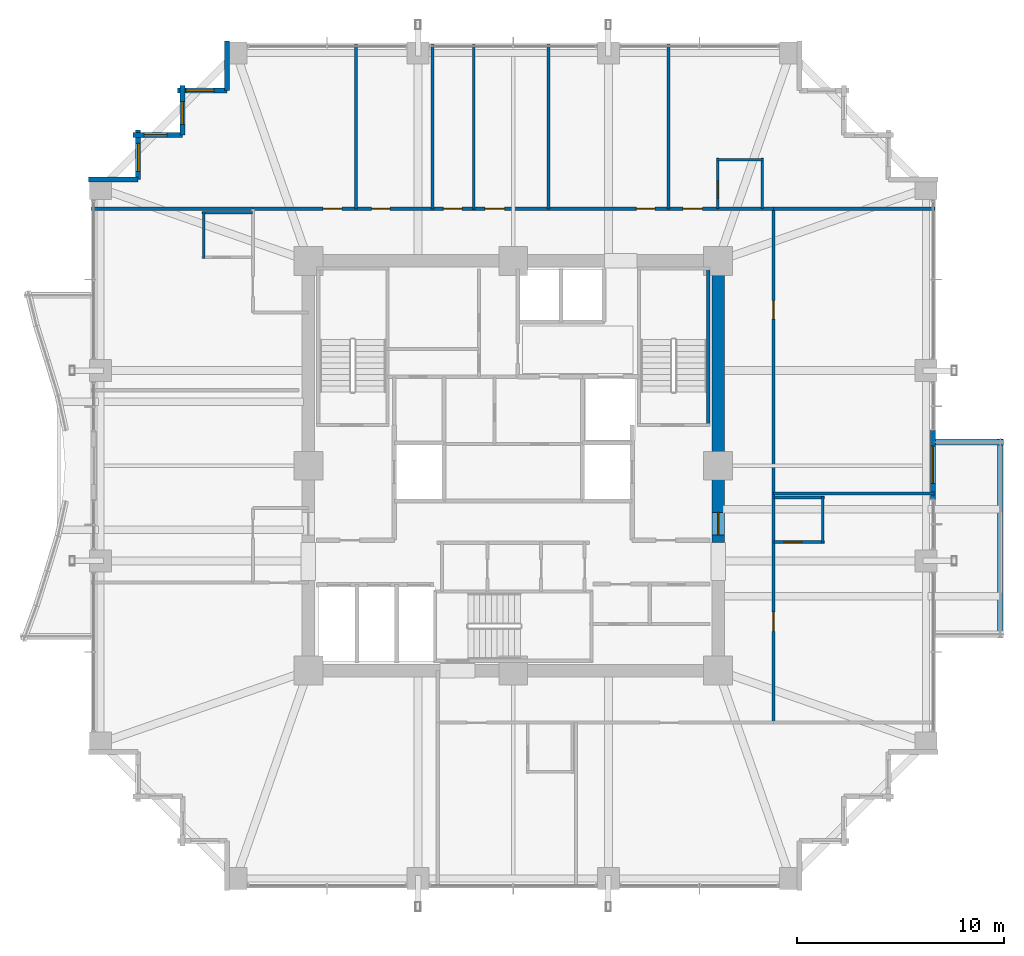
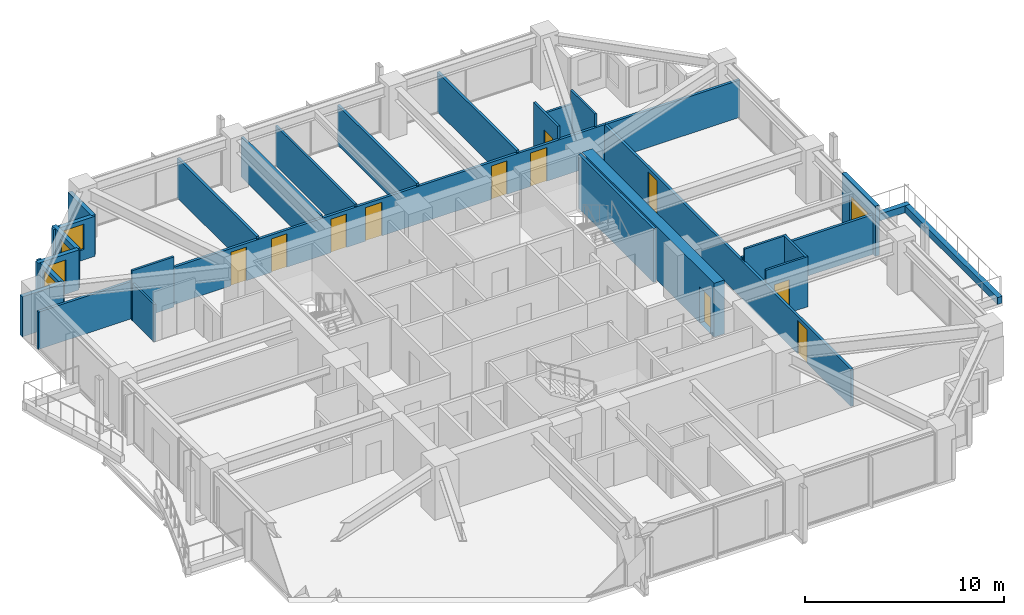
# One storey, part 34 of 37: 29 walls, 12 doors, 4 windows, 16 openings.
"""IFC4 building model written with IfcOpenShell, lengths in metres."""

from ifc_helpers import new_model, si_unit, direction, frame, frame_2d, origin, place, context, subcontext, project, spatial, rectangle, extrude, material, layer, layer_set, type_object, element, fill, save


model = new_model("IFC4")

# Units and contexts
model_context = context("Model", 3, precision=1e-05, world=origin(), true_north=direction((0.0, 1.0)))
body_context = subcontext(model_context, "Body", "Model", "MODEL_VIEW")
ifc_project = project(units=[si_unit("LENGTHUNIT", "METRE"), si_unit("AREAUNIT", "SQUARE_METRE"), si_unit("VOLUMEUNIT", "CUBIC_METRE"), si_unit("PLANEANGLEUNIT", "RADIAN"), si_unit("MASSUNIT", "GRAM", prefix="KILO")], contexts=[model_context])

# Site, building, storey
site_placement = place(None, origin())
site = spatial("IfcSite", under=ifc_project, at=site_placement, CompositionType="ELEMENT")
building_placement = place(site_placement, origin())
building = spatial("IfcBuilding", under=site, at=building_placement, Name="Kolvaren Belvedere", CompositionType="ELEMENT")
storey_placement = place(building_placement, frame((0.0, 0.0, 82.10009765625)))
storey = spatial("IfcBuildingStorey", under=building, at=storey_placement, Name="L23", CompositionType="ELEMENT", Elevation=82.10009765625)

# Wall, opening, door
ifc_material_1 = material(Name="Concrete C60/75", Category="concrete")
ifc_layer_1 = layer(ifc_material_1, 0.60009765625)
ifc_layer_set_1 = layer_set([ifc_layer_1], Name="Concrete C60/75")
wall_type_1 = type_object("IfcWallType", Name="CW-CORE-600", PredefinedType="SHEAR", material=ifc_layer_set_1)
wall_1_placement = place(storey_placement, frame((9.89990234375, -3.699951171875, 0.0), z_axis=(0.0, 0.0, 1.0), x_axis=(0.0, 1.0, 0.0)))
wall_1 = element("IfcWall", 1, at=wall_1_placement, inside=storey, type_object=wall_type_1, Name="L23 East Core Shear Wall 2", PredefinedType="SHEAR", context=body_context, shape_type="SweptSolid", body=[
    extrude(rectangle(XDim=13.300048828125, YDim=0.60009765625, at=frame_2d((6.64990234375, 0.0))), origin(), (0.0, 0.0, 1.0), 3.2998046875),
])
opening_1_placement = place(wall_1_placement, frame((0.35009765625, 0.0, 0.0)))
opening_1 = element("IfcOpeningElement", 2, at=opening_1_placement, cuts=wall_1, Name="Opening D-FD90", PredefinedType="OPENING", context=body_context, shape_type="SweptSolid", body=[
    extrude(rectangle(XDim=1.10009765625, YDim=2.199951171875, at=frame_2d((0.550048828125, 1.10009765625))), frame((0.0, 0.31005859375, 0.0), z_axis=(0.0, -1.0, 0.0), x_axis=(1.0, 0.0, 0.0)), (0.0, 0.0, 1.0), 0.6201171875),
])
ifc_material_2 = material(Name="Painted hollow stainless steel", Category="steel")
door_type_1 = type_object("IfcDoorType", Name="DR-FD90-1100", OperationType="NOTDEFINED", PredefinedType="DOOR", material=ifc_material_2)
door_1_placement = place(opening_1_placement, origin())
door_1 = element("IfcDoor", 3, at=door_1_placement, inside=storey, type_object=door_type_1, Name="L23 East Firefighting Lobby Fire Door", OperationType="SINGLE_SWING_RIGHT", OverallHeight=2.199951171875, OverallWidth=1.10009765625, PredefinedType="DOOR", context=body_context, shape_type="SweptSolid", body=[
    extrude(rectangle(XDim=1.10009765625, YDim=2.199951171875, at=frame_2d((0.550048828125, 1.10009765625))), frame((0.0, 0.02490234375, 0.0), z_axis=(0.0, -1.0, 0.0), x_axis=(1.0, 0.0, 0.0)), (0.0, 0.0, 1.0), 0.050048828125),
])
fill(opening_1, door_1)

# Wall
ifc_material_3 = material(Name="Concrete C50/60", Category="concrete")
ifc_layer_2 = layer(ifc_material_3, 0.159912109375)
ifc_layer_set_2 = layer_set([ifc_layer_2], Name="Concrete C50/60")
wall_type_2 = type_object("IfcWallType", Name="CW-STAIR-160", PredefinedType="SHEAR", material=ifc_layer_set_2)
wall_2_placement = place(storey_placement, frame((9.429931640625, 1.969970703125, 0.0), z_axis=(0.0, 0.0, 1.0), x_axis=(0.0, 1.0, 0.0)))
element("IfcWall", 4, at=wall_2_placement, inside=storey, type_object=wall_type_2, Name="L23 Stair ST-2 East Shear Wall", PredefinedType="SHEAR", context=body_context, shape_type="SweptSolid", body=[
    extrude(rectangle(XDim=7.56005859375, YDim=0.159912109375, at=frame_2d((3.780029296875, 0.0))), origin(), (0.0, 0.0, 1.0), 3.2998046875),
])

# Wall, openings, doors
ifc_material_4 = material(Name="Gypsum fire-rated partition assembly", Category="gypsum")
ifc_layer_3 = layer(ifc_material_4, 0.14990234375)
ifc_layer_set_3 = layer_set([ifc_layer_3], Name="Gypsum fire-rated partition assembly")
wall_type_3 = type_object("IfcWallType", Name="WL-CORR-150", PredefinedType="PARTITIONING", material=ifc_layer_set_3)
wall_3_placement = place(storey_placement, frame((-12.580078125, 12.419921875, 0.0), z_axis=(0.0, 0.0, 1.0), x_axis=(1.0, 0.0, 0.0)))
wall_3 = element("IfcWall", 5, at=wall_3_placement, inside=storey, type_object=wall_type_3, Name="L23 North Corridor Wall", PredefinedType="PARTITIONING", context=body_context, shape_type="SweptSolid", body=[
    extrude(rectangle(XDim=25.16015625, YDim=0.14990234375, at=frame_2d((12.580078125, 0.0))), origin(), (0.0, 0.0, 1.0), 2.2919921875),
])
opening_2_placement = place(wall_3_placement, frame((3.394775390625, 0.0, 0.0)))
opening_2 = element("IfcOpeningElement", 6, at=opening_2_placement, cuts=wall_3, Name="Opening D-INT90", PredefinedType="OPENING", context=body_context, shape_type="SweptSolid", body=[
    extrude(rectangle(XDim=0.89990234375, YDim=2.06005859375, at=frame_2d((0.449951171875, 1.030029296875))), frame((0.0, 0.0849609375, 0.0), z_axis=(0.0, -1.0, 0.0), x_axis=(1.0, 0.0, 0.0)), (0.0, 0.0, 1.0), 0.169921875),
])
opening_3_placement = place(wall_3_placement, frame((5.729736328125, 0.0, 0.0)))
opening_3 = element("IfcOpeningElement", 7, at=opening_3_placement, cuts=wall_3, Name="Opening D-INT90", PredefinedType="OPENING", context=body_context, shape_type="SweptSolid", body=[
    extrude(rectangle(XDim=0.89990234375, YDim=2.06005859375, at=frame_2d((0.449951171875, 1.030029296875))), frame((0.0, 0.0849609375, 0.0), z_axis=(0.0, -1.0, 0.0), x_axis=(1.0, 0.0, 0.0)), (0.0, 0.0, 1.0), 0.169921875),
])
opening_4_placement = place(wall_3_placement, frame((9.2080078125, 0.0, 0.0)))
opening_4 = element("IfcOpeningElement", 8, at=opening_4_placement, cuts=wall_3, Name="Opening D-INT90", PredefinedType="OPENING", context=body_context, shape_type="SweptSolid", body=[
    extrude(rectangle(XDim=0.89990234375, YDim=2.06005859375, at=frame_2d((0.449951171875, 1.030029296875))), frame((0.0, 0.0849609375, 0.0), z_axis=(0.0, -1.0, 0.0), x_axis=(1.0, 0.0, 0.0)), (0.0, 0.0, 1.0), 0.169921875),
])
opening_5_placement = place(wall_3_placement, frame((11.20849609375, 0.0, 0.0)))
opening_5 = element("IfcOpeningElement", 9, at=opening_5_placement, cuts=wall_3, Name="Opening D-INT95", PredefinedType="OPENING", context=body_context, shape_type="SweptSolid", body=[
    extrude(rectangle(XDim=0.949951171875, YDim=2.06005859375, at=frame_2d((0.47509765625, 1.030029296875))), frame((0.0, 0.0849609375, 0.0), z_axis=(0.0, -1.0, 0.0), x_axis=(1.0, 0.0, 0.0)), (0.0, 0.0, 1.0), 0.169921875),
])
opening_6_placement = place(wall_3_placement, frame((18.5302734375, 0.0, 0.0)))
opening_6 = element("IfcOpeningElement", 10, at=opening_6_placement, cuts=wall_3, Name="Opening D-INT90", PredefinedType="OPENING", context=body_context, shape_type="SweptSolid", body=[
    extrude(rectangle(XDim=0.89990234375, YDim=2.06005859375, at=frame_2d((0.449951171875, 1.030029296875))), frame((0.0, 0.0849609375, 0.0), z_axis=(0.0, -1.0, 0.0), x_axis=(1.0, 0.0, 0.0)), (0.0, 0.0, 1.0), 0.169921875),
])
opening_7_placement = place(wall_3_placement, frame((20.777099609375, 0.0, 0.0)))
opening_7 = element("IfcOpeningElement", 11, at=opening_7_placement, cuts=wall_3, Name="Opening D-FD60", PredefinedType="OPENING", context=body_context, shape_type="SweptSolid", body=[
    extrude(rectangle(XDim=0.949951171875, YDim=2.06005859375, at=frame_2d((0.47509765625, 1.030029296875))), frame((0.0, 0.0849609375, 0.0), z_axis=(0.0, -1.0, 0.0), x_axis=(1.0, 0.0, 0.0)), (0.0, 0.0, 1.0), 0.169921875),
])
ifc_material_5 = material(Name="Acoustic white-oak fire door leaf", Category="timber")
door_type_2 = type_object("IfcDoorType", Name="DR-FD60-950", OperationType="NOTDEFINED", PredefinedType="DOOR", material=ifc_material_5)
door_2_placement = place(opening_7_placement, origin())
door_2 = element("IfcDoor", 12, at=door_2_placement, inside=storey, type_object=door_type_2, Name="L23 Deluxe King Guest Room 2304 Entry Door", OperationType="SINGLE_SWING_LEFT", OverallHeight=2.06005859375, OverallWidth=0.949951171875, PredefinedType="DOOR", context=body_context, shape_type="SweptSolid", body=[
    extrude(rectangle(XDim=0.949951171875, YDim=2.06005859375, at=frame_2d((0.47509765625, 1.030029296875))), frame((0.0, 0.02490234375, 0.0), z_axis=(0.0, -1.0, 0.0), x_axis=(1.0, 0.0, 0.0)), (0.0, 0.0, 1.0), 0.050048828125),
])
fill(opening_7, door_2)
ifc_material_6 = material(Name="Stained Pacific white oak", Category="timber")
door_type_3 = type_object("IfcDoorType", Name="DR-INT-900", OperationType="NOTDEFINED", PredefinedType="DOOR", material=ifc_material_6)
door_3_placement = place(opening_2_placement, origin())
door_3 = element("IfcDoor", 13, at=door_3_placement, inside=storey, type_object=door_type_3, Name="L23 Guest Tea & Espresso Kitchen 2301 Door", OperationType="SINGLE_SWING_LEFT", OverallHeight=2.06005859375, OverallWidth=0.89990234375, PredefinedType="DOOR", context=body_context, shape_type="SweptSolid", body=[
    extrude(rectangle(XDim=0.89990234375, YDim=2.06005859375, at=frame_2d((0.449951171875, 1.030029296875))), frame((0.0, 0.02490234375, 0.0), z_axis=(0.0, -1.0, 0.0), x_axis=(1.0, 0.0, 0.0)), (0.0, 0.0, 1.0), 0.050048828125),
])
fill(opening_2, door_3)
door_4_placement = place(opening_3_placement, origin())
door_4 = element("IfcDoor", 14, at=door_4_placement, inside=storey, type_object=door_type_3, Name="L23 Private Hospitality Meeting Room 2302 Door", OperationType="SINGLE_SWING_RIGHT", OverallHeight=2.06005859375, OverallWidth=0.89990234375, PredefinedType="DOOR", context=body_context, shape_type="SweptSolid", body=[
    extrude(rectangle(XDim=0.89990234375, YDim=2.06005859375, at=frame_2d((0.449951171875, 1.030029296875))), frame((0.0, 0.02490234375, 0.0), z_axis=(0.0, -1.0, 0.0), x_axis=(1.0, 0.0, 0.0)), (0.0, 0.0, 1.0), 0.050048828125),
])
fill(opening_3, door_4)
door_5_placement = place(opening_4_placement, origin())
door_5 = element("IfcDoor", 15, at=door_5_placement, inside=storey, type_object=door_type_3, Name="L23 Housekeeping Door", OperationType="SINGLE_SWING_LEFT", OverallHeight=2.06005859375, OverallWidth=0.89990234375, PredefinedType="DOOR", context=body_context, shape_type="SweptSolid", body=[
    extrude(rectangle(XDim=0.89990234375, YDim=2.06005859375, at=frame_2d((0.449951171875, 1.030029296875))), frame((0.0, 0.02490234375, 0.0), z_axis=(0.0, -1.0, 0.0), x_axis=(1.0, 0.0, 0.0)), (0.0, 0.0, 1.0), 0.050048828125),
])
fill(opening_4, door_5)
door_6_placement = place(opening_6_placement, origin())
door_6 = element("IfcDoor", 16, at=door_6_placement, inside=storey, type_object=door_type_3, Name="L23 Botanical Reading Salon 2303 Door", OperationType="SINGLE_SWING_LEFT", OverallHeight=2.06005859375, OverallWidth=0.89990234375, PredefinedType="DOOR", context=body_context, shape_type="SweptSolid", body=[
    extrude(rectangle(XDim=0.89990234375, YDim=2.06005859375, at=frame_2d((0.449951171875, 1.030029296875))), frame((0.0, 0.02490234375, 0.0), z_axis=(0.0, -1.0, 0.0), x_axis=(1.0, 0.0, 0.0)), (0.0, 0.0, 1.0), 0.050048828125),
])
fill(opening_6, door_6)
ifc_material_7 = material(Name="Stained Pacific white oak", Category="timber")
door_type_4 = type_object("IfcDoorType", Name="DR-INT-950", OperationType="NOTDEFINED", PredefinedType="DOOR", material=ifc_material_7)
door_7_placement = place(opening_5_placement, origin())
door_7 = element("IfcDoor", 17, at=door_7_placement, inside=storey, type_object=door_type_4, Name="L23 Accessible Washroom Door", OperationType="SINGLE_SWING_RIGHT", OverallHeight=2.06005859375, OverallWidth=0.949951171875, PredefinedType="DOOR", context=body_context, shape_type="SweptSolid", body=[
    extrude(rectangle(XDim=0.949951171875, YDim=2.06005859375, at=frame_2d((0.47509765625, 1.030029296875))), frame((0.0, 0.02490234375, 0.0), z_axis=(0.0, -1.0, 0.0), x_axis=(1.0, 0.0, 0.0)), (0.0, 0.0, 1.0), 0.050048828125),
])
fill(opening_5, door_7)

wall_4_placement = place(storey_placement, frame((12.580078125, -12.419921875, 0.0), z_axis=(0.0, 0.0, 1.0), x_axis=(0.0, 1.0, 0.0)))
wall_4 = element("IfcWall", 18, at=wall_4_placement, inside=storey, type_object=wall_type_3, Name="L23 East Corridor Wall", PredefinedType="PARTITIONING", context=body_context, shape_type="SweptSolid", body=[
    extrude(rectangle(XDim=24.83984375, YDim=0.14990234375, at=frame_2d((12.419921875, 0.0))), origin(), (0.0, 0.0, 1.0), 2.2919921875),
])
opening_8_placement = place(wall_4_placement, frame((4.409912109375, 0.0, 0.0)))
opening_8 = element("IfcOpeningElement", 19, at=opening_8_placement, cuts=wall_4, Name="Opening D-FD60", PredefinedType="OPENING", context=body_context, shape_type="SweptSolid", body=[
    extrude(rectangle(XDim=0.949951171875, YDim=2.06005859375, at=frame_2d((0.47509765625, 1.030029296875))), frame((0.0, 0.0849609375, 0.0), z_axis=(0.0, -1.0, 0.0), x_axis=(1.0, 0.0, 0.0)), (0.0, 0.0, 1.0), 0.169921875),
])
opening_9_placement = place(wall_4_placement, frame((19.5048828125, 0.0, 0.0)))
opening_9 = element("IfcOpeningElement", 20, at=opening_9_placement, cuts=wall_4, Name="Opening D-INT90", PredefinedType="OPENING", context=body_context, shape_type="SweptSolid", body=[
    extrude(rectangle(XDim=0.89990234375, YDim=2.06005859375, at=frame_2d((0.449951171875, 1.030029296875))), frame((0.0, 0.0849609375, 0.0), z_axis=(0.0, -1.0, 0.0), x_axis=(1.0, 0.0, 0.0)), (0.0, 0.0, 1.0), 0.169921875),
])
door_8_placement = place(opening_8_placement, origin())
door_8 = element("IfcDoor", 21, at=door_8_placement, inside=storey, type_object=door_type_2, Name="L23 Twin Guest Room 2305 Entry Door", OperationType="SINGLE_SWING_LEFT", OverallHeight=2.06005859375, OverallWidth=0.949951171875, PredefinedType="DOOR", context=body_context, shape_type="SweptSolid", body=[
    extrude(rectangle(XDim=0.949951171875, YDim=2.06005859375, at=frame_2d((0.47509765625, 1.030029296875))), frame((0.0, 0.02490234375, 0.0), z_axis=(0.0, -1.0, 0.0), x_axis=(1.0, 0.0, 0.0)), (0.0, 0.0, 1.0), 0.050048828125),
])
fill(opening_8, door_8)
door_9_placement = place(opening_9_placement, origin())
door_9 = element("IfcDoor", 22, at=door_9_placement, inside=storey, type_object=door_type_3, Name="L23 Lounge 2306 Door", OperationType="SINGLE_SWING_RIGHT", OverallHeight=2.06005859375, OverallWidth=0.89990234375, PredefinedType="DOOR", context=body_context, shape_type="SweptSolid", body=[
    extrude(rectangle(XDim=0.89990234375, YDim=2.06005859375, at=frame_2d((0.449951171875, 1.030029296875))), frame((0.0, 0.02490234375, 0.0), z_axis=(0.0, -1.0, 0.0), x_axis=(1.0, 0.0, 0.0)), (0.0, 0.0, 1.0), 0.050048828125),
])
fill(opening_9, door_9)

# Wall, opening, door
ifc_material_8 = material(Name="Insulated pale-metal facade wall assembly", Category="aluminium")
ifc_layer_4 = layer(ifc_material_8, 0.239990234375)
ifc_layer_set_4 = layer_set([ifc_layer_4], Name="Insulated pale-metal facade wall assembly")
wall_type_4 = type_object("IfcWallType", Name="WL-EXT-240", PredefinedType="STANDARD", material=ifc_layer_set_4)
wall_5_placement = place(storey_placement, frame((20.280029296875, 1.72998046875, 0.0), z_axis=(0.0, 0.0, 1.0), x_axis=(0.0, -1.0, 0.0)))
wall_5 = element("IfcWall", 23, at=wall_5_placement, inside=storey, type_object=wall_type_4, Name="L23 East Terrace Portal Wall", PredefinedType="STANDARD", context=body_context, shape_type="SweptSolid", body=[
    extrude(rectangle(XDim=3.35986328125, YDim=0.239990234375, at=frame_2d((1.679931640625, 0.0))), origin(), (0.0, 0.0, 1.0), 3.079833984375),
])
opening_10_placement = place(wall_5_placement, frame((0.780029296875, 0.0, 0.0)))
opening_10 = element("IfcOpeningElement", 24, at=opening_10_placement, cuts=wall_5, Name="Opening DB-1800", PredefinedType="OPENING", context=body_context, shape_type="SweptSolid", body=[
    extrude(rectangle(XDim=1.800048828125, YDim=2.199951171875, at=frame_2d((0.89990234375, 1.10009765625))), frame((0.0, 0.1298828125, 0.0), z_axis=(0.0, -1.0, 0.0), x_axis=(1.0, 0.0, 0.0)), (0.0, 0.0, 1.0), 0.260009765625),
])
ifc_material_9 = material(Name="Thermally broken pale-metal aluminium & low-iron glass", Category="aluminium")
door_type_5 = type_object("IfcDoorType", Name="DR-BAL-1800", OperationType="DOUBLE_DOOR_SLIDING", PredefinedType="DOOR", material=ifc_material_9)
door_10_placement = place(opening_10_placement, origin())
door_10 = element("IfcDoor", 25, at=door_10_placement, inside=storey, type_object=door_type_5, Name="L23 East Planted Terrace Sliding Door", OperationType="DOUBLE_DOOR_SLIDING", OverallHeight=2.199951171875, OverallWidth=1.800048828125, PredefinedType="DOOR", context=body_context, shape_type="SweptSolid", body=[
    extrude(rectangle(XDim=1.800048828125, YDim=2.199951171875, at=frame_2d((0.89990234375, 1.10009765625))), frame((0.0, 0.02490234375, 0.0), z_axis=(0.0, -1.0, 0.0), x_axis=(1.0, 0.0, 0.0)), (0.0, 0.0, 1.0), 0.050048828125),
])
fill(opening_10, door_10)

# Wall
wall_6_placement = place(storey_placement, frame((-13.830078125, 18.1298828125, 0.0), z_axis=(0.0, 0.0, 1.0), x_axis=(0.0, 1.0, 0.0)))
element("IfcWall", 26, at=wall_6_placement, inside=storey, type_object=wall_type_4, Name="L23 Serrated Corner Facade Wall 16", PredefinedType="STANDARD", context=body_context, shape_type="SweptSolid", body=[
    extrude(rectangle(XDim=2.39013671875, YDim=0.239990234375, at=frame_2d((1.195068359375, 0.0))), origin(), (0.0, 0.0, 1.0), 2.458984375),
])

# Wall, opening, window
wall_7_placement = place(storey_placement, frame((-16.219970703125, 18.1298828125, 0.0), z_axis=(0.0, 0.0, 1.0), x_axis=(1.0, 0.0, 0.0)))
wall_7 = element("IfcWall", 27, at=wall_7_placement, inside=storey, type_object=wall_type_4, Name="L23 Serrated Corner Facade Wall 17", PredefinedType="STANDARD", context=body_context, shape_type="SweptSolid", body=[
    extrude(rectangle(XDim=2.389892578125, YDim=0.239990234375, at=frame_2d((1.19482421875, 0.0))), origin(), (0.0, 0.0, 1.0), 2.458984375),
])
opening_11_placement = place(wall_7_placement, frame((0.39990234375, 0.0, 0.64990234375)))
opening_11 = element("IfcOpeningElement", 28, at=opening_11_placement, cuts=wall_7, Name="Opening W-1350", PredefinedType="OPENING", context=body_context, shape_type="SweptSolid", body=[
    extrude(rectangle(XDim=1.35009765625, YDim=1.550048828125, at=frame_2d((0.675048828125, 0.77490234375))), frame((0.0, 0.1298828125, 0.0), z_axis=(0.0, -1.0, 0.0), x_axis=(1.0, 0.0, 0.0)), (0.0, 0.0, 1.0), 0.260009765625),
])
ifc_material_10 = material(Name="Low-iron triple insulated glass", Category="glass")
window_type_1 = type_object("IfcWindowType", Name="WN-CORN-1350", PartitioningType="SINGLE_PANEL", PredefinedType="WINDOW", material=ifc_material_10)
window_1_placement = place(opening_11_placement, origin())
window_1 = element("IfcWindow", 29, at=window_1_placement, inside=storey, type_object=window_type_1, Name="L23 Serrated Corner Vision Window 17", OverallHeight=1.550048828125, OverallWidth=1.35009765625, PartitioningType="SINGLE_PANEL", PredefinedType="WINDOW", context=body_context, shape_type="SweptSolid", body=[
    extrude(rectangle(XDim=1.35009765625, YDim=1.550048828125, at=frame_2d((0.675048828125, 0.77490234375))), frame((0.0, 0.030029296875, 0.0), z_axis=(0.0, -1.0, 0.0), x_axis=(1.0, 0.0, 0.0)), (0.0, 0.0, 1.0), 0.06005859375),
])
fill(opening_11, window_1)

wall_8_placement = place(storey_placement, frame((-15.97998046875, 15.97998046875, 0.0), z_axis=(0.0, 0.0, 1.0), x_axis=(0.0, 1.0, 0.0)))
wall_8 = element("IfcWall", 30, at=wall_8_placement, inside=storey, type_object=wall_type_4, Name="L23 Serrated Corner Facade Wall 18", PredefinedType="STANDARD", context=body_context, shape_type="SweptSolid", body=[
    extrude(rectangle(XDim=2.39013671875, YDim=0.239990234375, at=frame_2d((1.195068359375, 0.0))), origin(), (0.0, 0.0, 1.0), 2.458984375),
])
opening_12_placement = place(wall_8_placement, frame((0.52490234375, 0.0, 0.64990234375)))
opening_12 = element("IfcOpeningElement", 31, at=opening_12_placement, cuts=wall_8, Name="Opening W-1100", PredefinedType="OPENING", context=body_context, shape_type="SweptSolid", body=[
    extrude(rectangle(XDim=1.10009765625, YDim=1.449951171875, at=frame_2d((0.550048828125, 0.72509765625))), frame((0.0, 0.1298828125, 0.0), z_axis=(0.0, -1.0, 0.0), x_axis=(1.0, 0.0, 0.0)), (0.0, 0.0, 1.0), 0.260009765625),
])
ifc_material_11 = material(Name="Low-iron triple insulated glass", Category="glass")
window_type_2 = type_object("IfcWindowType", Name="WN-CORN-1100", PartitioningType="SINGLE_PANEL", PredefinedType="WINDOW", material=ifc_material_11)
window_2_placement = place(opening_12_placement, origin())
window_2 = element("IfcWindow", 32, at=window_2_placement, inside=storey, type_object=window_type_2, Name="L23 Serrated Corner Vision Window 18", OverallHeight=1.449951171875, OverallWidth=1.10009765625, PartitioningType="SINGLE_PANEL", PredefinedType="WINDOW", context=body_context, shape_type="SweptSolid", body=[
    extrude(rectangle(XDim=1.10009765625, YDim=1.449951171875, at=frame_2d((0.550048828125, 0.72509765625))), frame((0.0, 0.030029296875, 0.0), z_axis=(0.0, -1.0, 0.0), x_axis=(1.0, 0.0, 0.0)), (0.0, 0.0, 1.0), 0.06005859375),
])
fill(opening_12, window_2)

wall_9_placement = place(storey_placement, frame((-18.3701171875, 15.97998046875, 0.0), z_axis=(0.0, 0.0, 1.0), x_axis=(1.0, 0.0, 0.0)))
wall_9 = element("IfcWall", 33, at=wall_9_placement, inside=storey, type_object=wall_type_4, Name="L23 Serrated Corner Facade Wall 19", PredefinedType="STANDARD", context=body_context, shape_type="SweptSolid", body=[
    extrude(rectangle(XDim=2.39013671875, YDim=0.239990234375, at=frame_2d((1.195068359375, 0.0))), origin(), (0.0, 0.0, 1.0), 2.458984375),
])
opening_13_placement = place(wall_9_placement, frame((0.52490234375, 0.0, 0.64990234375)))
opening_13 = element("IfcOpeningElement", 34, at=opening_13_placement, cuts=wall_9, Name="Opening W-1100", PredefinedType="OPENING", context=body_context, shape_type="SweptSolid", body=[
    extrude(rectangle(XDim=1.10009765625, YDim=1.449951171875, at=frame_2d((0.550048828125, 0.72509765625))), frame((0.0, 0.1298828125, 0.0), z_axis=(0.0, -1.0, 0.0), x_axis=(1.0, 0.0, 0.0)), (0.0, 0.0, 1.0), 0.260009765625),
])
window_3_placement = place(opening_13_placement, origin())
window_3 = element("IfcWindow", 35, at=window_3_placement, inside=storey, type_object=window_type_2, Name="L23 Serrated Corner Vision Window 19", OverallHeight=1.449951171875, OverallWidth=1.10009765625, PartitioningType="SINGLE_PANEL", PredefinedType="WINDOW", context=body_context, shape_type="SweptSolid", body=[
    extrude(rectangle(XDim=1.10009765625, YDim=1.449951171875, at=frame_2d((0.550048828125, 0.72509765625))), frame((0.0, 0.030029296875, 0.0), z_axis=(0.0, -1.0, 0.0), x_axis=(1.0, 0.0, 0.0)), (0.0, 0.0, 1.0), 0.06005859375),
])
fill(opening_13, window_3)

wall_10_placement = place(storey_placement, frame((-18.1298828125, 13.830078125, 0.0), z_axis=(0.0, 0.0, 1.0), x_axis=(0.0, 1.0, 0.0)))
wall_10 = element("IfcWall", 36, at=wall_10_placement, inside=storey, type_object=wall_type_4, Name="L23 Serrated Corner Facade Wall 20", PredefinedType="STANDARD", context=body_context, shape_type="SweptSolid", body=[
    extrude(rectangle(XDim=2.389892578125, YDim=0.239990234375, at=frame_2d((1.19482421875, 0.0))), origin(), (0.0, 0.0, 1.0), 2.458984375),
])
opening_14_placement = place(wall_10_placement, frame((0.39990234375, 0.0, 0.64990234375)))
opening_14 = element("IfcOpeningElement", 37, at=opening_14_placement, cuts=wall_10, Name="Opening W-1350", PredefinedType="OPENING", context=body_context, shape_type="SweptSolid", body=[
    extrude(rectangle(XDim=1.35009765625, YDim=1.550048828125, at=frame_2d((0.675048828125, 0.77490234375))), frame((0.0, 0.1298828125, 0.0), z_axis=(0.0, -1.0, 0.0), x_axis=(1.0, 0.0, 0.0)), (0.0, 0.0, 1.0), 0.260009765625),
])
window_4_placement = place(opening_14_placement, origin())
window_4 = element("IfcWindow", 38, at=window_4_placement, inside=storey, type_object=window_type_1, Name="L23 Serrated Corner Vision Window 20", OverallHeight=1.550048828125, OverallWidth=1.35009765625, PartitioningType="SINGLE_PANEL", PredefinedType="WINDOW", context=body_context, shape_type="SweptSolid", body=[
    extrude(rectangle(XDim=1.35009765625, YDim=1.550048828125, at=frame_2d((0.675048828125, 0.77490234375))), frame((0.0, 0.030029296875, 0.0), z_axis=(0.0, -1.0, 0.0), x_axis=(1.0, 0.0, 0.0)), (0.0, 0.0, 1.0), 0.06005859375),
])
fill(opening_14, window_4)

# Walls
wall_11_placement = place(storey_placement, frame((-20.52001953125, 13.830078125, 0.0), z_axis=(0.0, 0.0, 1.0), x_axis=(1.0, 0.0, 0.0)))
element("IfcWall", 39, at=wall_11_placement, inside=storey, type_object=wall_type_4, Name="L23 Serrated Corner Facade Wall 21", PredefinedType="STANDARD", context=body_context, shape_type="SweptSolid", body=[
    extrude(rectangle(XDim=2.39013671875, YDim=0.239990234375, at=frame_2d((1.195068359375, 0.0))), origin(), (0.0, 0.0, 1.0), 2.458984375),
])
ifc_material_12 = material(Name="Gypsum acoustic partition assembly", Category="gypsum")
ifc_layer_5 = layer(ifc_material_12, 0.14990234375)
ifc_layer_set_5 = layer_set([ifc_layer_5], Name="Gypsum acoustic partition assembly")
wall_type_5 = type_object("IfcWallType", Name="WL-PART-150", PredefinedType="PARTITIONING", material=ifc_layer_set_5)
for number, where, z_axis, x_axis, name in (
    (40, (-20.3798828125, 12.419921875, 0.0), (0.0, 0.0, 1.0), (1.0, 0.0, 0.0), "L23 Wing Divider PW-L23-QNW"),
    (41, (12.580078125, 12.419921875, 0.0), (0.0, 0.0, 1.0), (1.0, 0.0, 0.0), "L23 Wing Divider PW-L23-QNE"),
):
    element("IfcWall", number, at=place(storey_placement, frame(where, z_axis=z_axis, x_axis=x_axis)), inside=storey, type_object=wall_type_5, Name=name, PredefinedType="PARTITIONING", context=body_context, shape_type="SweptSolid", body=[
        extrude(rectangle(XDim=7.7998046875, YDim=0.14990234375, at=frame_2d((3.89990234375, 0.0))), origin(), (0.0, 0.0, 1.0), 2.2919921875),
    ])
for number, where, z_axis, x_axis, name in (
    (42, (-7.60400390625, 12.419921875, 0.0), (0.0, 0.0, 1.0), (0.0, 1.0, 0.0), "L23 North Suite Demising Wall 1"),
    (43, (-3.904052734375, 12.419921875, 0.0), (0.0, 0.0, 1.0), (0.0, 1.0, 0.0), "L23 North Suite Demising Wall 2"),
    (44, (1.696044921875, 12.419921875, 0.0), (0.0, 0.0, 1.0), (0.0, 1.0, 0.0), "L23 North Suite Demising Wall 3"),
    (45, (7.49609375, 12.419921875, 0.0), (0.0, 0.0, 1.0), (0.0, 1.0, 0.0), "L23 North Suite Demising Wall 4"),
):
    element("IfcWall", number, at=place(storey_placement, frame(where, z_axis=z_axis, x_axis=x_axis)), inside=storey, type_object=wall_type_5, Name=name, PredefinedType="PARTITIONING", context=body_context, shape_type="SweptSolid", body=[
        extrude(rectangle(XDim=7.9599609375, YDim=0.14990234375, at=frame_2d((3.97998046875, 0.0))), origin(), (0.0, 0.0, 1.0), 2.448974609375),
    ])
wall_12_placement = place(storey_placement, frame((12.580078125, -1.340087890625, 0.0), z_axis=(0.0, 0.0, 1.0), x_axis=(1.0, 0.0, 0.0)))
element("IfcWall", 46, at=wall_12_placement, inside=storey, type_object=wall_type_5, Name="L23 East Suite Demising Wall 1", PredefinedType="PARTITIONING", context=body_context, shape_type="SweptSolid", body=[
    extrude(rectangle(XDim=7.7998046875, YDim=0.14990234375, at=frame_2d((3.89990234375, 0.0))), origin(), (0.0, 0.0, 1.0), 2.448974609375),
])
ifc_material_13 = material(Name="Precast concrete C40/50", Category="concrete")
ifc_layer_6 = layer(ifc_material_13, 0.300048828125)
ifc_layer_set_6 = layer_set([ifc_layer_6], Name="Precast concrete C40/50")
wall_type_6 = type_object("IfcWallType", Name="WL-PLANTER-300", PredefinedType="PARAPET", material=ifc_layer_set_6)
wall_13_placement = place(storey_placement, frame((23.5400390625, -8.300048828125, -0.0400390625), z_axis=(0.0, 0.0, 1.0), x_axis=(0.0, 1.0, 0.0)))
element("IfcWall", 47, at=wall_13_placement, inside=storey, type_object=wall_type_6, Name="L23 Precast Structural Planter Wall SPIRAL-03-E-2", PredefinedType="PARAPET", context=body_context, shape_type="SweptSolid", body=[
    extrude(rectangle(XDim=9.60009765625, YDim=0.280029296875, at=frame_2d((4.800048828125, 0.0))), origin(), (0.0, 0.0, 1.0), 0.419921875),
])
wall_14_placement = place(storey_placement, frame((23.699951171875, 1.139892578125, -0.0400390625), z_axis=(0.0, 0.0, 1.0), x_axis=(-1.0, 0.0, 0.0)))
element("IfcWall", 48, at=wall_14_placement, inside=storey, type_object=wall_type_6, Name="L23 Precast Structural Planter Wall SPIRAL-03-E-3", PredefinedType="PARAPET", context=body_context, shape_type="SweptSolid", body=[
    extrude(rectangle(XDim=3.300048828125, YDim=0.280029296875, at=frame_2d((1.64990234375, 0.0))), origin(), (0.0, 0.0, 1.0), 0.419921875),
])
ifc_material_14 = material(Name="Moisture-resistant gypsum partition", Category="gypsum")
ifc_layer_7 = layer(ifc_material_14, 0.125)
ifc_layer_set_7 = layer_set([ifc_layer_7], Name="Moisture-resistant gypsum partition")
wall_type_7 = type_object("IfcWallType", Name="WL-WET-125", PredefinedType="PARTITIONING", material=ifc_layer_set_7)
wall_15_placement = place(storey_placement, frame((-1.9130859375, 12.39501953125, 0.0), z_axis=(0.0, 0.0, 1.0), x_axis=(0.0, 1.0, 0.0)))
element("IfcWall", 49, at=wall_15_placement, inside=storey, type_object=wall_type_7, Name="L23 Housekeeping Washroom Divider", PredefinedType="PARTITIONING", context=body_context, shape_type="SweptSolid", body=[
    extrude(rectangle(XDim=7.98486328125, YDim=0.125, at=frame_2d((3.992431640625, 0.0))), origin(), (0.0, 0.0, 1.0), 2.448974609375),
])

# Wall, opening, door
wall_16_placement = place(storey_placement, frame((9.89404296875, 12.43505859375, 0.0), z_axis=(0.0, 0.0, 1.0), x_axis=(0.0, 1.0, 0.0)))
wall_16 = element("IfcWall", 50, at=wall_16_placement, inside=storey, type_object=wall_type_7, Name="L23 Bathroom Partition PW-L23-BTH-4-E", PredefinedType="PARTITIONING", context=body_context, shape_type="SweptSolid", body=[
    extrude(rectangle(XDim=2.43994140625, YDim=0.125, at=frame_2d((1.219970703125, 0.0))), origin(), (0.0, 0.0, 1.0), 3.079833984375),
])
opening_15_placement = place(wall_16_placement, frame((0.5, 0.0, 0.0)))
opening_15 = element("IfcOpeningElement", 51, at=opening_15_placement, cuts=wall_16, Name="Opening D-BTH85", PredefinedType="OPENING", context=body_context, shape_type="SweptSolid", body=[
    extrude(rectangle(XDim=0.85009765625, YDim=2.030029296875, at=frame_2d((0.425048828125, 1.01513671875))), frame((0.0, 0.072509765625, 0.0), z_axis=(0.0, -1.0, 0.0), x_axis=(1.0, 0.0, 0.0)), (0.0, 0.0, 1.0), 0.14501953125),
])
ifc_material_15 = material(Name="Moisture-sealed Pacific white oak", Category="timber")
door_type_6 = type_object("IfcDoorType", Name="DR-BATH-850", OperationType="NOTDEFINED", PredefinedType="DOOR", material=ifc_material_15)
door_11_placement = place(opening_15_placement, origin())
door_11 = element("IfcDoor", 52, at=door_11_placement, inside=storey, type_object=door_type_6, Name="L23 En-Suite Bathroom 2304 Door", OperationType="SINGLE_SWING_RIGHT", OverallHeight=2.030029296875, OverallWidth=0.85009765625, PredefinedType="DOOR", context=body_context, shape_type="SweptSolid", body=[
    extrude(rectangle(XDim=0.85009765625, YDim=2.030029296875, at=frame_2d((0.425048828125, 1.01513671875))), frame((0.0, 0.02490234375, 0.0), z_axis=(0.0, -1.0, 0.0), x_axis=(1.0, 0.0, 0.0)), (0.0, 0.0, 1.0), 0.050048828125),
])
fill(opening_15, door_11)

# Walls
wall_17_placement = place(storey_placement, frame((9.833984375, 14.794921875, 0.0), z_axis=(0.0, 0.0, 1.0), x_axis=(1.0, 0.0, 0.0)))
element("IfcWall", 53, at=wall_17_placement, inside=storey, type_object=wall_type_7, Name="L23 Bathroom Partition PW-L23-BTH-4-H", PredefinedType="PARTITIONING", context=body_context, shape_type="SweptSolid", body=[
    extrude(rectangle(XDim=2.27001953125, YDim=0.125, at=frame_2d((1.135009765625, 0.0))), origin(), (0.0, 0.0, 1.0), 2.2919921875),
])
wall_18_placement = place(storey_placement, frame((12.0439453125, 12.43505859375, 0.0), z_axis=(0.0, 0.0, 1.0), x_axis=(0.0, 1.0, 0.0)))
element("IfcWall", 54, at=wall_18_placement, inside=storey, type_object=wall_type_7, Name="L23 Bathroom Partition PW-L23-BTH-4-W", PredefinedType="PARTITIONING", context=body_context, shape_type="SweptSolid", body=[
    extrude(rectangle(XDim=2.43994140625, YDim=0.125, at=frame_2d((1.219970703125, 0.0))), origin(), (0.0, 0.0, 1.0), 3.079833984375),
])

# Wall, opening, door
wall_19_placement = place(storey_placement, frame((12.594970703125, -3.68505859375, 0.0), z_axis=(0.0, 0.0, 1.0), x_axis=(1.0, 0.0, 0.0)))
wall_19 = element("IfcWall", 55, at=wall_19_placement, inside=storey, type_object=wall_type_7, Name="L23 Bathroom Partition PW-L23-BTH-5-N", PredefinedType="PARTITIONING", context=body_context, shape_type="SweptSolid", body=[
    extrude(rectangle(XDim=2.43994140625, YDim=0.125, at=frame_2d((1.219970703125, 0.0))), origin(), (0.0, 0.0, 1.0), 3.079833984375),
])
opening_16_placement = place(wall_19_placement, frame((0.5, 0.0, 0.0)))
opening_16 = element("IfcOpeningElement", 56, at=opening_16_placement, cuts=wall_19, Name="Opening D-BTH85", PredefinedType="OPENING", context=body_context, shape_type="SweptSolid", body=[
    extrude(rectangle(XDim=0.85009765625, YDim=2.030029296875, at=frame_2d((0.425048828125, 1.01513671875))), frame((0.0, 0.072509765625, 0.0), z_axis=(0.0, -1.0, 0.0), x_axis=(1.0, 0.0, 0.0)), (0.0, 0.0, 1.0), 0.14501953125),
])
door_12_placement = place(opening_16_placement, origin())
door_12 = element("IfcDoor", 57, at=door_12_placement, inside=storey, type_object=door_type_6, Name="L23 En-Suite Bathroom 2305 Door", OperationType="SINGLE_SWING_RIGHT", OverallHeight=2.030029296875, OverallWidth=0.85009765625, PredefinedType="DOOR", context=body_context, shape_type="SweptSolid", body=[
    extrude(rectangle(XDim=0.85009765625, YDim=2.030029296875, at=frame_2d((0.425048828125, 1.01513671875))), frame((0.0, 0.02490234375, 0.0), z_axis=(0.0, -1.0, 0.0), x_axis=(1.0, 0.0, 0.0)), (0.0, 0.0, 1.0), 0.050048828125),
])
fill(opening_16, door_12)

# Walls
wall_20_placement = place(storey_placement, frame((14.955078125, -3.7451171875, 0.0), z_axis=(0.0, 0.0, 1.0), x_axis=(0.0, 1.0, 0.0)))
element("IfcWall", 58, at=wall_20_placement, inside=storey, type_object=wall_type_7, Name="L23 Bathroom Partition PW-L23-BTH-5-V", PredefinedType="PARTITIONING", context=body_context, shape_type="SweptSolid", body=[
    extrude(rectangle(XDim=2.27001953125, YDim=0.125, at=frame_2d((1.135009765625, 0.0))), origin(), (0.0, 0.0, 1.0), 3.079833984375),
])
wall_21_placement = place(storey_placement, frame((12.594970703125, -1.534912109375, 0.0), z_axis=(0.0, 0.0, 1.0), x_axis=(1.0, 0.0, 0.0)))
element("IfcWall", 59, at=wall_21_placement, inside=storey, type_object=wall_type_7, Name="L23 Bathroom Partition PW-L23-BTH-5-S", PredefinedType="PARTITIONING", context=body_context, shape_type="SweptSolid", body=[
    extrude(rectangle(XDim=2.43994140625, YDim=0.125, at=frame_2d((1.219970703125, 0.0))), origin(), (0.0, 0.0, 1.0), 3.079833984375),
])
wall_22_placement = place(storey_placement, frame((-14.955078125, 10.014892578125, 0.0), z_axis=(0.0, 0.0, 1.0), x_axis=(0.0, 1.0, 0.0)))
element("IfcWall", 60, at=wall_22_placement, inside=storey, type_object=wall_type_7, Name="L23 Bathroom Partition PW-L23-BTH-7-V", PredefinedType="PARTITIONING", context=body_context, shape_type="SweptSolid", body=[
    extrude(rectangle(XDim=2.27001953125, YDim=0.125, at=frame_2d((1.135009765625, 0.0))), origin(), (0.0, 0.0, 1.0), 2.2919921875),
])
wall_23_placement = place(storey_placement, frame((-15.034912109375, 12.22509765625, 0.0), z_axis=(0.0, 0.0, 1.0), x_axis=(1.0, 0.0, 0.0)))
element("IfcWall", 61, at=wall_23_placement, inside=storey, type_object=wall_type_7, Name="L23 Bathroom Partition PW-L23-BTH-7-S", PredefinedType="PARTITIONING", context=body_context, shape_type="SweptSolid", body=[
    extrude(rectangle(XDim=2.43994140625, YDim=0.125, at=frame_2d((1.219970703125, 0.0))), origin(), (0.0, 0.0, 1.0), 3.079833984375),
])

save(model, "model.ifc")
